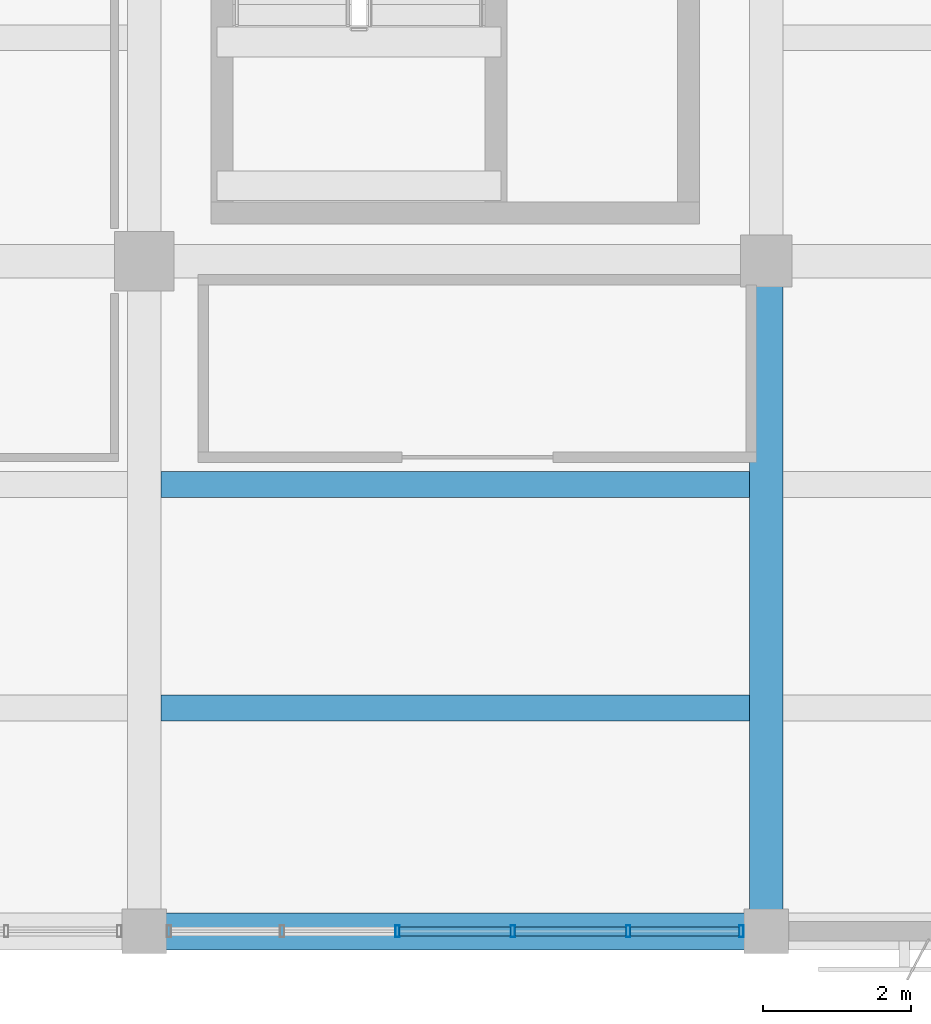
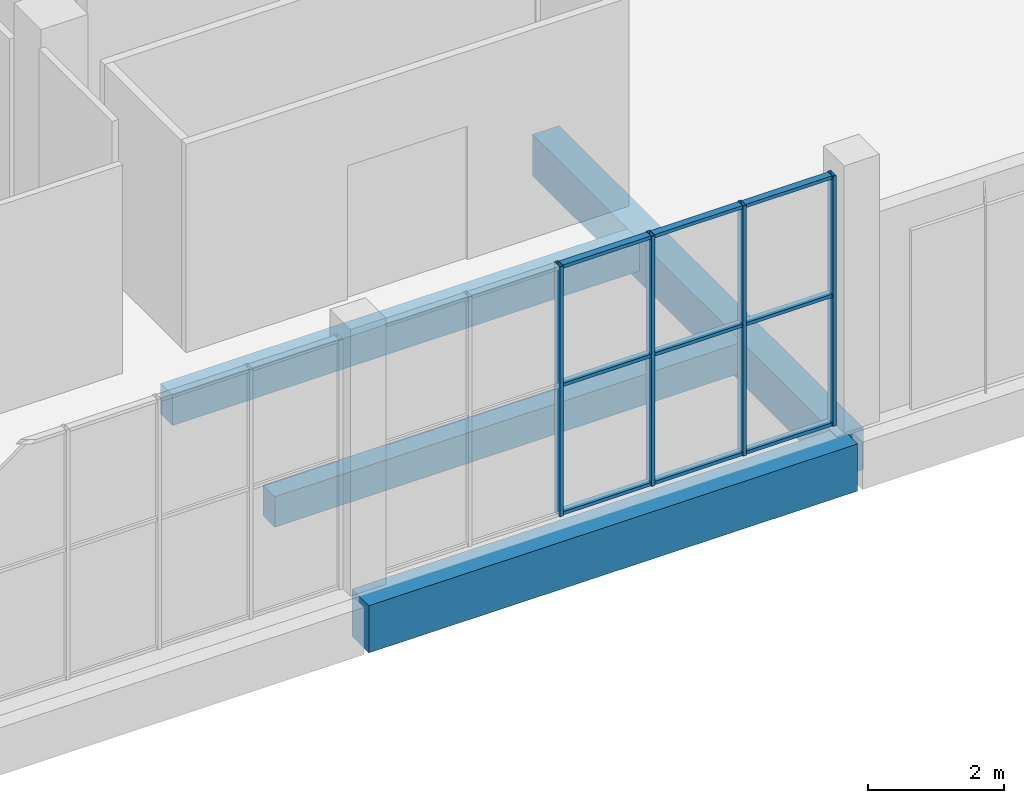
# One storey, part 19 of 80: 13 members, 4 beams, 1 element without a shape of its own.
"""IFC4 building model written with IfcOpenShell, lengths in metres."""

from ifc_helpers import new_model, si_unit, direction, frame, origin, origin_2d, place, context, subcontext, project, spatial, rectangle, hollow_rectangle, extrude, material, material_profile, profile_set, type_object, element, aggregate, save


model = new_model("IFC4")

# Units and contexts
model_context = context("Model", 3, precision=1e-05, world=origin(), true_north=direction((0.0, 1.0)))
body_context = subcontext(model_context, "Body", "Model", "MODEL_VIEW")
ifc_project = project(units=[si_unit("LENGTHUNIT", "METRE"), si_unit("AREAUNIT", "SQUARE_METRE"), si_unit("VOLUMEUNIT", "CUBIC_METRE"), si_unit("PLANEANGLEUNIT", "RADIAN"), si_unit("MASSUNIT", "GRAM", prefix="KILO")], contexts=[model_context])

# Site, building, storey
site_placement = place(None, origin())
site = spatial("IfcSite", under=ifc_project, at=site_placement, CompositionType="ELEMENT")
building_placement = place(site_placement, origin())
building = spatial("IfcBuilding", under=site, at=building_placement, Name="Khurvash Pelagic Aquarium", CompositionType="ELEMENT")
storey_placement = place(building_placement, frame((0.0, 0.0, 10.800048828125)))
storey = spatial("IfcBuildingStorey", under=building, at=storey_placement, Name="L02", CompositionType="ELEMENT", Elevation=10.800048828125)

# Beam
ifc_material_1 = material(Name="Concrete C35/45", Category="concrete")
ifc_material_profile_1 = material_profile(ifc_material_1, rectangle(XDim=0.449951171875, YDim=0.75, at=origin_2d()), Name="RC450X750")
ifc_profile_set_1 = profile_set([ifc_material_profile_1], Name="Concrete C35/45")
beam_type_1 = type_object("IfcBeamType", Name="BM-04", PredefinedType="BEAM", material=ifc_profile_set_1)
beam_1_placement = place(storey_placement, frame((100.800048828125, 2.639892578125, -0.675048828125), z_axis=(0.0, 1.0, 0.0), x_axis=(-1.0, 0.0, 0.0)))
element("IfcBeam", 1, at=beam_1_placement, inside=storey, type_object=beam_type_1, Name="L02 Primary Girder BM-04 00705", PredefinedType="BEAM", context=body_context, shape_type="SweptSolid", body=[
    extrude(rectangle(XDim=0.449951171875, YDim=0.75, at=origin_2d()), origin(), (0.0, 0.0, 1.0), 8.97021484375),
])

# Curtain wall, members
ifc_material_2 = material(Name="Anodised aluminium and low-E laminated glass", Category="aluminium")
curtain_wall_type = type_object("IfcCurtainWallType", Name="CW-06", PredefinedType="USERDEFINED", material=ifc_material_2)
curtain_wall_placement = place(storey_placement, origin())
curtain_wall = element("IfcCurtainWall", 2, at=curtain_wall_placement, inside=storey, type_object=curtain_wall_type, Name="L02 Facade Unitised Curtain Wall CW-06 0156", ObjectType="UNITISED CURTAIN WALL", PredefinedType="USERDEFINED")
ifc_material_3 = material(Name="Extruded aluminium AW-6063-T6", Category="aluminium")
ifc_material_profile_2 = material_profile(ifc_material_3, hollow_rectangle(XDim=0.06005859375, YDim=0.159912109375, WallThickness=0.00390625, at=origin_2d()), Name="CWM60X160X4")
ifc_profile_set_2 = profile_set([ifc_material_profile_2], Name="Extruded aluminium AW-6063-T6")
member_type_1 = type_object("IfcMemberType", Name="CM-02", PredefinedType="MULLION", material=ifc_profile_set_2)
member_1_placement = place(storey_placement, frame((95.821044921875, 2.60009765625, 0.0), z_axis=(0.0, 0.0, 1.0), x_axis=(1.0, 0.0, 0.0)))
member_1 = element("IfcMember", 3, at=member_1_placement, type_object=member_type_1, Name="CW-06 mullion 3", PredefinedType="MULLION", context=body_context, shape_type="SweptSolid", body=[
    extrude(hollow_rectangle(XDim=0.06005859375, YDim=0.159912109375, WallThickness=0.00390625, at=origin_2d()), origin(), (0.0, 0.0, 1.0), 4.5),
])
member_2_placement = place(storey_placement, frame((97.37890625, 2.60009765625, 0.0), z_axis=(0.0, 0.0, 1.0), x_axis=(1.0, 0.0, 0.0)))
member_2 = element("IfcMember", 4, at=member_2_placement, type_object=member_type_1, Name="CW-06 mullion 4", PredefinedType="MULLION", context=body_context, shape_type="SweptSolid", body=[
    extrude(hollow_rectangle(XDim=0.06005859375, YDim=0.159912109375, WallThickness=0.00390625, at=origin_2d()), origin(), (0.0, 0.0, 1.0), 4.5),
])
member_3_placement = place(storey_placement, frame((98.93701171875, 2.60009765625, 0.0), z_axis=(0.0, 0.0, 1.0), x_axis=(1.0, 0.0, 0.0)))
member_3 = element("IfcMember", 5, at=member_3_placement, type_object=member_type_1, Name="CW-06 mullion 5", PredefinedType="MULLION", context=body_context, shape_type="SweptSolid", body=[
    extrude(hollow_rectangle(XDim=0.06005859375, YDim=0.159912109375, WallThickness=0.00390625, at=origin_2d()), origin(), (0.0, 0.0, 1.0), 4.5),
])
member_4_placement = place(storey_placement, frame((100.465087890625, 2.60009765625, 0.0), z_axis=(0.0, 0.0, 1.0), x_axis=(1.0, 0.0, 0.0)))
member_4 = element("IfcMember", 6, at=member_4_placement, type_object=member_type_1, Name="CW-06 mullion 6", PredefinedType="MULLION", context=body_context, shape_type="SweptSolid", body=[
    extrude(hollow_rectangle(XDim=0.06005859375, YDim=0.159912109375, WallThickness=0.00390625, at=origin_2d()), origin(), (0.0, 0.0, 1.0), 4.5),
])
ifc_material_profile_3 = material_profile(ifc_material_3, hollow_rectangle(XDim=0.1201171875, YDim=0.06005859375, WallThickness=0.00390625, at=origin_2d()), Name="CWT120X60X4")
ifc_profile_set_3 = profile_set([ifc_material_profile_3], Name="Extruded aluminium AW-6063-T6")
member_type_2 = type_object("IfcMemberType", Name="CT-02", PredefinedType="USERDEFINED", material=ifc_profile_set_3)
member_5_placement = place(storey_placement, frame((95.85107421875, 2.60009765625, 0.030029296875), z_axis=(1.0, 0.0, 0.0), x_axis=(0.0, 1.0, 0.0)))
member_5 = element("IfcMember", 7, at=member_5_placement, type_object=member_type_2, Name="CW-06 transom 3.1", ObjectType="TRANSOM", PredefinedType="USERDEFINED", context=body_context, shape_type="SweptSolid", body=[
    extrude(hollow_rectangle(XDim=0.1201171875, YDim=0.06005859375, WallThickness=0.00390625, at=origin_2d()), origin(), (0.0, 0.0, 1.0), 1.498046875),
])
member_6_placement = place(storey_placement, frame((95.85107421875, 2.60009765625, 2.33984375), z_axis=(1.0, 0.0, 0.0), x_axis=(0.0, 1.0, 0.0)))
member_6 = element("IfcMember", 8, at=member_6_placement, type_object=member_type_2, Name="CW-06 transom 3.2", ObjectType="TRANSOM", PredefinedType="USERDEFINED", context=body_context, shape_type="SweptSolid", body=[
    extrude(hollow_rectangle(XDim=0.1201171875, YDim=0.06005859375, WallThickness=0.00390625, at=origin_2d()), origin(), (0.0, 0.0, 1.0), 1.498046875),
])
member_7_placement = place(storey_placement, frame((95.85107421875, 2.60009765625, 4.469970703125), z_axis=(1.0, 0.0, 0.0), x_axis=(0.0, 1.0, 0.0)))
member_7 = element("IfcMember", 9, at=member_7_placement, type_object=member_type_2, Name="CW-06 transom 3.3", ObjectType="TRANSOM", PredefinedType="USERDEFINED", context=body_context, shape_type="SweptSolid", body=[
    extrude(hollow_rectangle(XDim=0.1201171875, YDim=0.06005859375, WallThickness=0.00390625, at=origin_2d()), origin(), (0.0, 0.0, 1.0), 1.498046875),
])
member_8_placement = place(storey_placement, frame((97.408935546875, 2.60009765625, 0.030029296875), z_axis=(1.0, 0.0, 0.0), x_axis=(0.0, 1.0, 0.0)))
member_8 = element("IfcMember", 10, at=member_8_placement, type_object=member_type_2, Name="CW-06 transom 4.1", ObjectType="TRANSOM", PredefinedType="USERDEFINED", context=body_context, shape_type="SweptSolid", body=[
    extrude(hollow_rectangle(XDim=0.1201171875, YDim=0.06005859375, WallThickness=0.00390625, at=origin_2d()), origin(), (0.0, 0.0, 1.0), 1.498046875),
])
member_9_placement = place(storey_placement, frame((97.408935546875, 2.60009765625, 2.33984375), z_axis=(1.0, 0.0, 0.0), x_axis=(0.0, 1.0, 0.0)))
member_9 = element("IfcMember", 11, at=member_9_placement, type_object=member_type_2, Name="CW-06 transom 4.2", ObjectType="TRANSOM", PredefinedType="USERDEFINED", context=body_context, shape_type="SweptSolid", body=[
    extrude(hollow_rectangle(XDim=0.1201171875, YDim=0.06005859375, WallThickness=0.00390625, at=origin_2d()), origin(), (0.0, 0.0, 1.0), 1.498046875),
])
member_10_placement = place(storey_placement, frame((97.408935546875, 2.60009765625, 4.469970703125), z_axis=(1.0, 0.0, 0.0), x_axis=(0.0, 1.0, 0.0)))
member_10 = element("IfcMember", 12, at=member_10_placement, type_object=member_type_2, Name="CW-06 transom 4.3", ObjectType="TRANSOM", PredefinedType="USERDEFINED", context=body_context, shape_type="SweptSolid", body=[
    extrude(hollow_rectangle(XDim=0.1201171875, YDim=0.06005859375, WallThickness=0.00390625, at=origin_2d()), origin(), (0.0, 0.0, 1.0), 1.498046875),
])
member_11_placement = place(storey_placement, frame((98.967041015625, 2.60009765625, 0.030029296875), z_axis=(1.0, 0.0, 0.0), x_axis=(0.0, 1.0, 0.0)))
member_11 = element("IfcMember", 13, at=member_11_placement, type_object=member_type_2, Name="CW-06 transom 5.1", ObjectType="TRANSOM", PredefinedType="USERDEFINED", context=body_context, shape_type="SweptSolid", body=[
    extrude(hollow_rectangle(XDim=0.1201171875, YDim=0.06005859375, WallThickness=0.00390625, at=origin_2d()), origin(), (0.0, 0.0, 1.0), 1.468017578125),
])
member_12_placement = place(storey_placement, frame((98.967041015625, 2.60009765625, 2.33984375), z_axis=(1.0, 0.0, 0.0), x_axis=(0.0, 1.0, 0.0)))
member_12 = element("IfcMember", 14, at=member_12_placement, type_object=member_type_2, Name="CW-06 transom 5.2", ObjectType="TRANSOM", PredefinedType="USERDEFINED", context=body_context, shape_type="SweptSolid", body=[
    extrude(hollow_rectangle(XDim=0.1201171875, YDim=0.06005859375, WallThickness=0.00390625, at=origin_2d()), origin(), (0.0, 0.0, 1.0), 1.468017578125),
])
member_13_placement = place(storey_placement, frame((98.967041015625, 2.60009765625, 4.469970703125), z_axis=(1.0, 0.0, 0.0), x_axis=(0.0, 1.0, 0.0)))
member_13 = element("IfcMember", 15, at=member_13_placement, type_object=member_type_2, Name="CW-06 transom 5.3", ObjectType="TRANSOM", PredefinedType="USERDEFINED", context=body_context, shape_type="SweptSolid", body=[
    extrude(hollow_rectangle(XDim=0.1201171875, YDim=0.06005859375, WallThickness=0.00390625, at=origin_2d()), origin(), (0.0, 0.0, 1.0), 1.468017578125),
])
aggregate(curtain_wall, [member_1, member_2, member_3, member_4, member_5, member_6, member_7, member_8, member_9, member_10, member_11, member_12, member_13])

# Beams
ifc_material_profile_4 = material_profile(ifc_material_1, rectangle(XDim=0.35009765625, YDim=0.550048828125, at=origin_2d()), Name="RC350X550")
ifc_profile_set_4 = profile_set([ifc_material_profile_4], Name="Concrete C35/45")
beam_type_2 = type_object("IfcBeamType", Name="JS-01", PredefinedType="JOIST", material=ifc_profile_set_4)
for number, where, z_axis, x_axis, name in (
    (16, (92.625, 5.616943359375, -0.574951171875), (1.0, 0.0, 0.0), (0.0, 1.0, 0.0), "L02 Floor Joist JS-01 00805"),
    (17, (92.625, 8.633056640625, -0.574951171875), (1.0, 0.0, 0.0), (0.0, 1.0, 0.0), "L02 Floor Joist JS-01 00806"),
):
    element("IfcBeam", number, at=place(storey_placement, frame(where, z_axis=z_axis, x_axis=x_axis)), inside=storey, type_object=beam_type_2, Name=name, PredefinedType="JOIST", context=body_context, shape_type="SweptSolid", body=[
        extrude(rectangle(XDim=0.35009765625, YDim=0.550048828125, at=origin_2d()), origin(), (0.0, 0.0, 1.0), 7.949951171875),
    ])
ifc_material_4 = material(Name="Concrete C40/50", Category="concrete")
ifc_material_profile_5 = material_profile(ifc_material_4, rectangle(XDim=0.5, YDim=0.85009765625, at=origin_2d()), Name="RC500X850")
ifc_profile_set_5 = profile_set([ifc_material_profile_5], Name="Concrete C40/50")
beam_type_3 = type_object("IfcBeamType", Name="SEB-03", PredefinedType="SPANDREL", material=ifc_profile_set_5)
beam_2_placement = place(storey_placement, frame((92.43994140625, 2.60009765625, -0.7451171875), z_axis=(1.0, 0.0, 0.0), x_axis=(0.0, 1.0, 0.0)))
element("IfcBeam", 18, at=beam_2_placement, inside=storey, type_object=beam_type_3, Name="L02 Primary Girder SEB-03 00570", PredefinedType="SPANDREL", context=body_context, shape_type="SweptSolid", body=[
    extrude(rectangle(XDim=0.5, YDim=0.85009765625, at=origin_2d()), origin(), (0.0, 0.0, 1.0), 8.320068359375),
])

save(model, "model.ifc")
